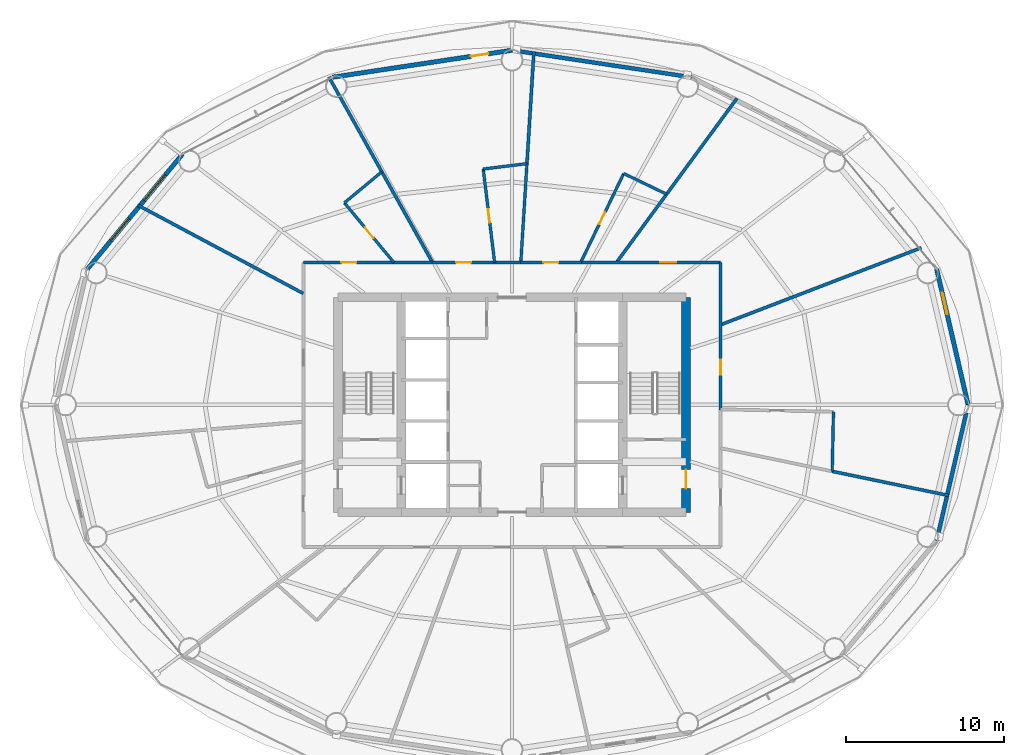
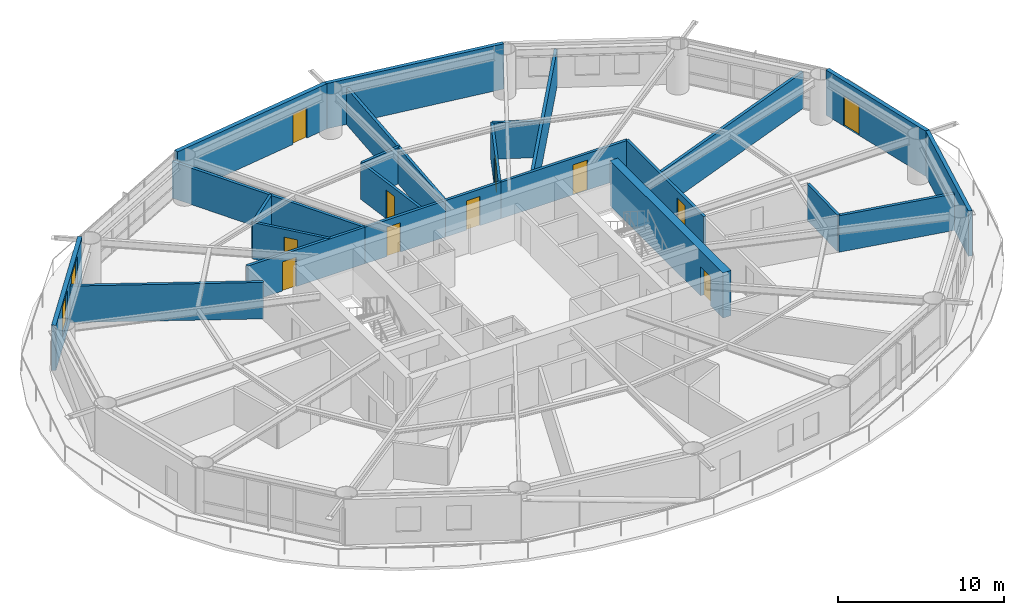
# One storey, part 20 of 24: 25 walls, 11 doors, 2 windows, 13 openings.
"""IFC4 building model written with IfcOpenShell, lengths in metres."""

from ifc_helpers import new_model, si_unit, direction, frame, frame_2d, origin, place, context, subcontext, project, spatial, rectangle, extrude, material, layer, layer_set, type_object, element, fill, save


model = new_model("IFC4")

# Units and contexts
model_context = context("Model", 3, precision=1e-05, world=origin(), true_north=direction((0.0, 1.0)))
body_context = subcontext(model_context, "Body", "Model", "MODEL_VIEW")
ifc_project = project(units=[si_unit("LENGTHUNIT", "METRE"), si_unit("AREAUNIT", "SQUARE_METRE"), si_unit("VOLUMEUNIT", "CUBIC_METRE"), si_unit("PLANEANGLEUNIT", "RADIAN"), si_unit("MASSUNIT", "GRAM", prefix="KILO")], contexts=[model_context])

# Site, building, storey
site_placement = place(None, origin())
site = spatial("IfcSite", under=ifc_project, at=site_placement, CompositionType="ELEMENT")
building_placement = place(site_placement, origin())
building = spatial("IfcBuilding", under=site, at=building_placement, Name="Sarneth Arch Tower", CompositionType="ELEMENT")
storey_placement = place(building_placement, frame((0.0, 0.0, 130.800048828125)))
storey = spatial("IfcBuildingStorey", under=building, at=storey_placement, Name="L33", CompositionType="ELEMENT", Elevation=130.800048828125)

# Wall, opening, door
ifc_material_1 = material(Name="Concrete C60/75", Category="concrete")
ifc_layer_1 = layer(ifc_material_1, 0.550048828125)
ifc_layer_set_1 = layer_set([ifc_layer_1], Name="Concrete C60/75")
wall_type_1 = type_object("IfcWallType", Name="WALL-CORE-550", PredefinedType="SHEAR", material=ifc_layer_set_1)
wall_1_placement = place(storey_placement, frame((59.0, 35.199951171875, 0.0), z_axis=(0.0, 0.0, 1.0), x_axis=(0.0, 1.0, 0.0)))
wall_1 = element("IfcWall", 1, at=wall_1_placement, inside=storey, type_object=wall_type_1, Name="L33 Core shear wall E", PredefinedType="SHEAR", context=body_context, shape_type="SweptSolid", body=[
    extrude(rectangle(XDim=13.60009765625, YDim=0.550048828125, at=frame_2d((6.800048828125, 0.0))), origin(), (0.0, 0.0, 1.0), 3.320068359375),
])
opening_1_placement = place(wall_1_placement, frame((1.5, 0.0, 0.0)))
opening_1 = element("IfcOpeningElement", 2, at=opening_1_placement, cuts=wall_1, Name="Opening FD-02", PredefinedType="OPENING", context=body_context, shape_type="SweptSolid", body=[
    extrude(rectangle(XDim=1.199951171875, YDim=2.14990234375, at=frame_2d((0.60009765625, 1.074951171875))), frame((0.0, 0.284912109375, 0.0), z_axis=(0.0, -1.0, 0.0), x_axis=(1.0, 0.0, 0.0)), (0.0, 0.0, 1.0), 0.570068359375),
])
ifc_material_2 = material(Name="Galvanised Steel S275 fire door set", Category="steel")
door_type_1 = type_object("IfcDoorType", Name="DR-FD90-1200", OperationType="SINGLE_SWING_LEFT", PredefinedType="DOOR", material=ifc_material_2)
door_1_placement = place(opening_1_placement, origin())
door_1 = element("IfcDoor", 3, at=door_1_placement, inside=storey, type_object=door_type_1, Name="L33 Firefighting lobby 2 exit door", OperationType="SINGLE_SWING_RIGHT", OverallHeight=2.14990234375, OverallWidth=1.199951171875, PredefinedType="DOOR", context=body_context, shape_type="SweptSolid", body=[
    extrude(rectangle(XDim=1.199951171875, YDim=2.14990234375, at=frame_2d((0.60009765625, 1.074951171875))), frame((0.0, 0.02490234375, 0.0), z_axis=(0.0, -1.0, 0.0), x_axis=(1.0, 0.0, 0.0)), (0.0, 0.0, 1.0), 0.050048828125),
])
fill(opening_1, door_1)

ifc_material_3 = material(Name="Double steel-stud corridor fire wall", Category="steel")
ifc_layer_2 = layer(ifc_material_3, 0.18994140625)
ifc_layer_set_2 = layer_set([ifc_layer_2], Name="Double steel-stud corridor fire wall")
wall_type_2 = type_object("IfcWallType", Name="WALL-CORR-190", PredefinedType="PARTITIONING", material=ifc_layer_set_2)
wall_2_placement = place(storey_placement, frame((52.31005859375, 51.0, 0.0), z_axis=(0.0, 0.0, 1.0), x_axis=(1.0, 0.0, 0.0)))
wall_2 = element("IfcWall", 4, at=wall_2_placement, inside=storey, type_object=wall_type_2, Name="L33 Interior partition W-L33-TP-001", PredefinedType="PARTITIONING", context=body_context, shape_type="SweptSolid", body=[
    extrude(rectangle(XDim=8.889892578125, YDim=0.18994140625, at=frame_2d((4.44482421875, 0.0))), origin(), (0.0, 0.0, 1.0), 2.679931640625),
])
opening_2_placement = place(wall_2_placement, frame((5.072509765625, 0.0, 0.0)))
opening_2 = element("IfcOpeningElement", 5, at=opening_2_placement, cuts=wall_2, Name="Opening FD-08", PredefinedType="OPENING", context=body_context, shape_type="SweptSolid", body=[
    extrude(rectangle(XDim=1.0, YDim=2.199951171875, at=frame_2d((0.5, 1.10009765625))), frame((0.0, 0.10498046875, 0.0), z_axis=(0.0, -1.0, 0.0), x_axis=(1.0, 0.0, 0.0)), (0.0, 0.0, 1.0), 0.2099609375),
])
ifc_material_4 = material(Name="Hardwood timber acoustic fire door", Category="wood")
door_type_2 = type_object("IfcDoorType", Name="DR-FD60-1000", OperationType="SINGLE_SWING_LEFT", PredefinedType="DOOR", material=ifc_material_4)
door_2_placement = place(opening_2_placement, origin())
door_2 = element("IfcDoor", 6, at=door_2_placement, inside=storey, type_object=door_type_2, Name="L33 Interior door DR-L33-AMN-01", OperationType="SINGLE_SWING_LEFT", OverallHeight=2.199951171875, OverallWidth=1.0, PredefinedType="DOOR", context=body_context, shape_type="SweptSolid", body=[
    extrude(rectangle(XDim=1.0, YDim=2.199951171875, at=frame_2d((0.5, 1.10009765625))), frame((0.0, 0.02490234375, 0.0), z_axis=(0.0, -1.0, 0.0), x_axis=(1.0, 0.0, 0.0)), (0.0, 0.0, 1.0), 0.050048828125),
])
fill(opening_2, door_2)

wall_3_placement = place(storey_placement, frame((34.800048828125, 51.0, 0.0), z_axis=(0.0, 0.0, 1.0), x_axis=(1.0, 0.0, 0.0)))
wall_3 = element("IfcWall", 7, at=wall_3_placement, inside=storey, type_object=wall_type_2, Name="L33 Interior partition W-L33-TP-008", PredefinedType="PARTITIONING", context=body_context, shape_type="SweptSolid", body=[
    extrude(rectangle(XDim=8.21044921875, YDim=0.18994140625, at=frame_2d((4.105224609375, 0.0))), origin(), (0.0, 0.0, 1.0), 2.679931640625),
])
opening_3_placement = place(wall_3_placement, frame((2.412353515625, 0.0, 0.0)))
opening_3 = element("IfcOpeningElement", 8, at=opening_3_placement, cuts=wall_3, Name="Opening FD-09", PredefinedType="OPENING", context=body_context, shape_type="SweptSolid", body=[
    extrude(rectangle(XDim=0.949951171875, YDim=2.14990234375, at=frame_2d((0.47509765625, 1.074951171875))), frame((0.0, 0.10498046875, 0.0), z_axis=(0.0, -1.0, 0.0), x_axis=(1.0, 0.0, 0.0)), (0.0, 0.0, 1.0), 0.2099609375),
])
ifc_material_5 = material(Name="Hardwood timber hotel entrance fire door", Category="wood")
door_type_3 = type_object("IfcDoorType", Name="DR-FD60-950", OperationType="SINGLE_SWING_RIGHT", PredefinedType="DOOR", material=ifc_material_5)
door_3_placement = place(opening_3_placement, origin())
door_3 = element("IfcDoor", 9, at=door_3_placement, inside=storey, type_object=door_type_3, Name="L33 Interior door DR-L33-KEY-04", OperationType="SINGLE_SWING_LEFT", OverallHeight=2.14990234375, OverallWidth=0.949951171875, PredefinedType="DOOR", context=body_context, shape_type="SweptSolid", body=[
    extrude(rectangle(XDim=0.949951171875, YDim=2.14990234375, at=frame_2d((0.47509765625, 1.074951171875))), frame((0.0, 0.02490234375, 0.0), z_axis=(0.0, -1.0, 0.0), x_axis=(1.0, 0.0, 0.0)), (0.0, 0.0, 1.0), 0.050048828125),
])
fill(opening_3, door_3)

wall_4_placement = place(storey_placement, frame((61.199951171875, 51.0, 0.0), z_axis=(0.0, 0.0, 1.0), x_axis=(0.0, -1.0, 0.0)))
wall_4 = element("IfcWall", 10, at=wall_4_placement, inside=storey, type_object=wall_type_2, Name="L33 Interior partition W-L33-TP-021", PredefinedType="PARTITIONING", context=body_context, shape_type="SweptSolid", body=[
    extrude(rectangle(XDim=9.314697265625, YDim=0.18994140625, at=frame_2d((4.6572265625, 0.0))), origin(), (0.0, 0.0, 1.0), 2.679931640625),
])
opening_4_placement = place(wall_4_placement, frame((6.131591796875, 0.0, 0.0)))
opening_4 = element("IfcOpeningElement", 11, at=opening_4_placement, cuts=wall_4, Name="Opening FD-09", PredefinedType="OPENING", context=body_context, shape_type="SweptSolid", body=[
    extrude(rectangle(XDim=0.949951171875, YDim=2.14990234375, at=frame_2d((0.47509765625, 1.074951171875))), frame((0.0, 0.10498046875, 0.0), z_axis=(0.0, -1.0, 0.0), x_axis=(1.0, 0.0, 0.0)), (0.0, 0.0, 1.0), 0.2099609375),
])
door_4_placement = place(opening_4_placement, origin())
door_4 = element("IfcDoor", 12, at=door_4_placement, inside=storey, type_object=door_type_3, Name="L33 Interior door DR-L33-KEY-11", OperationType="SINGLE_SWING_LEFT", OverallHeight=2.14990234375, OverallWidth=0.949951171875, PredefinedType="DOOR", context=body_context, shape_type="SweptSolid", body=[
    extrude(rectangle(XDim=0.949951171875, YDim=2.14990234375, at=frame_2d((0.47509765625, 1.074951171875))), frame((0.0, 0.02490234375, 0.0), z_axis=(0.0, -1.0, 0.0), x_axis=(1.0, 0.0, 0.0)), (0.0, 0.0, 1.0), 0.050048828125),
])
fill(opening_4, door_4)

wall_5_placement = place(storey_placement, frame((42.93701171875, 51.0, 0.0), z_axis=(0.0, 0.0, 1.0), x_axis=(1.0, 0.0, 0.0)))
wall_5 = element("IfcWall", 13, at=wall_5_placement, inside=storey, type_object=wall_type_2, Name="L33 Interior partition W-L33-TP-005", PredefinedType="PARTITIONING", context=body_context, shape_type="SweptSolid", body=[
    extrude(rectangle(XDim=5.652587890625, YDim=0.18994140625, at=frame_2d((2.826171875, 0.0))), origin(), (0.0, 0.0, 1.0), 2.679931640625),
])
opening_5_placement = place(wall_5_placement, frame((1.523681640625, 0.0, 0.0)))
opening_5 = element("IfcOpeningElement", 14, at=opening_5_placement, cuts=wall_5, Name="Opening FD-09", PredefinedType="OPENING", context=body_context, shape_type="SweptSolid", body=[
    extrude(rectangle(XDim=0.949951171875, YDim=2.14990234375, at=frame_2d((0.47509765625, 1.074951171875))), frame((0.0, 0.10498046875, 0.0), z_axis=(0.0, -1.0, 0.0), x_axis=(1.0, 0.0, 0.0)), (0.0, 0.0, 1.0), 0.2099609375),
])
door_5_placement = place(opening_5_placement, origin())
door_5 = element("IfcDoor", 15, at=door_5_placement, inside=storey, type_object=door_type_3, Name="L33 Interior door DR-L33-KEY-03", OperationType="SINGLE_SWING_LEFT", OverallHeight=2.14990234375, OverallWidth=0.949951171875, PredefinedType="DOOR", context=body_context, shape_type="SweptSolid", body=[
    extrude(rectangle(XDim=0.949951171875, YDim=2.14990234375, at=frame_2d((0.47509765625, 1.074951171875))), frame((0.0, 0.02490234375, 0.0), z_axis=(0.0, -1.0, 0.0), x_axis=(1.0, 0.0, 0.0)), (0.0, 0.0, 1.0), 0.050048828125),
])
fill(opening_5, door_5)

wall_6_placement = place(storey_placement, frame((48.525390625, 51.0, 0.0), z_axis=(0.0, 0.0, 1.0), x_axis=(1.0, 0.0, 0.0)))
wall_6 = element("IfcWall", 16, at=wall_6_placement, inside=storey, type_object=wall_type_2, Name="L33 Interior partition W-L33-TP-003", PredefinedType="PARTITIONING", context=body_context, shape_type="SweptSolid", body=[
    extrude(rectangle(XDim=3.855712890625, YDim=0.18994140625, at=frame_2d((1.927734375, 0.0))), origin(), (0.0, 0.0, 1.0), 2.679931640625),
])
opening_6_placement = place(wall_6_placement, frame((1.45263671875, 0.0, 0.0)))
opening_6 = element("IfcOpeningElement", 17, at=opening_6_placement, cuts=wall_6, Name="Opening FD-09", PredefinedType="OPENING", context=body_context, shape_type="SweptSolid", body=[
    extrude(rectangle(XDim=0.949951171875, YDim=2.14990234375, at=frame_2d((0.47509765625, 1.074951171875))), frame((0.0, 0.10498046875, 0.0), z_axis=(0.0, -1.0, 0.0), x_axis=(1.0, 0.0, 0.0)), (0.0, 0.0, 1.0), 0.2099609375),
])
door_6_placement = place(opening_6_placement, origin())
door_6 = element("IfcDoor", 18, at=door_6_placement, inside=storey, type_object=door_type_3, Name="L33 Interior door DR-L33-KEY-02", OperationType="SINGLE_SWING_LEFT", OverallHeight=2.14990234375, OverallWidth=0.949951171875, PredefinedType="DOOR", context=body_context, shape_type="SweptSolid", body=[
    extrude(rectangle(XDim=0.949951171875, YDim=2.14990234375, at=frame_2d((0.47509765625, 1.074951171875))), frame((0.0, 0.02490234375, 0.0), z_axis=(0.0, -1.0, 0.0), x_axis=(1.0, 0.0, 0.0)), (0.0, 0.0, 1.0), 0.050048828125),
])
fill(opening_6, door_6)

# Walls
ifc_material_6 = material(Name="Extruded terracotta rainscreen on Concrete C40/50 backing", Category="masonry")
ifc_layer_3 = layer(ifc_material_6, 0.25)
ifc_layer_set_3 = layer_set([ifc_layer_3], Name="Extruded terracotta rainscreen on Concrete C40/50 backing")
wall_type_3 = type_object("IfcWallType", Name="WALL-EXT-SPAND-250", PredefinedType="SOLIDWALL", material=ifc_layer_set_3)
wall_7_placement = place(storey_placement, frame((59.351318359375, 62.72265625, 0.0), z_axis=(0.0, 0.0, 1.0), x_axis=(-0.988877774656, 0.148730450117, 0.0)))
element("IfcWall", 19, at=wall_7_placement, inside=storey, type_object=wall_type_3, Name="L33 Terracotta perimeter wall 04", PredefinedType="SOLIDWALL", context=body_context, shape_type="SweptSolid", body=[
    extrude(rectangle(XDim=11.47900390625, YDim=0.25, at=frame_2d((5.739501953125, 0.0))), origin(), (0.0, 0.0, 1.0), 3.320068359375),
])
wall_8_placement = place(storey_placement, frame((74.861328125, 33.41650390625, 0.0), z_axis=(0.0, 0.0, 1.0), x_axis=(0.22558597182, 0.974223264616, 0.0)))
element("IfcWall", 20, at=wall_8_placement, inside=storey, type_object=wall_type_3, Name="L33 Terracotta perimeter wall 16", PredefinedType="SOLIDWALL", context=body_context, shape_type="SweptSolid", body=[
    extrude(rectangle(XDim=8.810546875, YDim=0.25, at=frame_2d((4.4052734375, 0.0))), origin(), (0.0, 0.0, 1.0), 3.320068359375),
])

# Wall, opening, door
ifc_material_7 = material(Name="Extruded terracotta rainscreen on Concrete C40/50 backing", Category="masonry")
ifc_layer_4 = layer(ifc_material_7, 0.280029296875)
ifc_layer_set_4 = layer_set([ifc_layer_4], Name="Extruded terracotta rainscreen on Concrete C40/50 backing")
wall_type_4 = type_object("IfcWallType", Name="WALL-EXT-TERRA-280", PredefinedType="SOLIDWALL", material=ifc_layer_set_4)
wall_9_placement = place(storey_placement, frame((76.848876953125, 42.0, 0.0), z_axis=(0.0, 0.0, 1.0), x_axis=(-0.22558597182, 0.974223264616, 0.0)))
wall_9 = element("IfcWall", 21, at=wall_9_placement, inside=storey, type_object=wall_type_4, Name="L33 Terracotta perimeter wall 01", PredefinedType="SOLIDWALL", context=body_context, shape_type="SweptSolid", body=[
    extrude(rectangle(XDim=8.810546875, YDim=0.280029296875, at=frame_2d((4.4052734375, 0.0))), origin(), (0.0, 0.0, 1.0), 3.320068359375),
])
opening_7_placement = place(wall_9_placement, frame((5.87451171875, 0.0, 0.0)))
opening_7 = element("IfcOpeningElement", 22, at=opening_7_placement, cuts=wall_9, Name="Opening BD-2", PredefinedType="OPENING", context=body_context, shape_type="SweptSolid", body=[
    extrude(rectangle(XDim=1.39990234375, YDim=2.199951171875, at=frame_2d((0.699951171875, 1.10009765625))), frame((0.0, 0.14990234375, 0.0), z_axis=(0.0, -1.0, 0.0), x_axis=(1.0, 0.0, 0.0)), (0.0, 0.0, 1.0), 0.300048828125),
])
ifc_material_8 = material(Name="Thermally broken Aluminium 6063-T6 and laminated safety glass", Category="aluminium")
door_type_4 = type_object("IfcDoorType", Name="DR-BALC-GLZ-1400", OperationType="SINGLE_SWING_LEFT", PredefinedType="DOOR", material=ifc_material_8)
door_7_placement = place(opening_7_placement, origin())
door_7 = element("IfcDoor", 23, at=door_7_placement, inside=storey, type_object=door_type_4, Name="L33 Balcony glazed door 01", OperationType="SINGLE_SWING_LEFT", OverallHeight=2.199951171875, OverallWidth=1.39990234375, PredefinedType="DOOR", context=body_context, shape_type="SweptSolid", body=[
    extrude(rectangle(XDim=1.39990234375, YDim=2.199951171875, at=frame_2d((0.699951171875, 1.10009765625))), frame((0.0, 0.02490234375, 0.0), z_axis=(0.0, -1.0, 0.0), x_axis=(1.0, 0.0, 0.0)), (0.0, 0.0, 1.0), 0.050048828125),
])
fill(opening_7, door_7)

wall_10_placement = place(storey_placement, frame((48.0, 64.429931640625, 0.0), z_axis=(0.0, 0.0, 1.0), x_axis=(-0.988877774656, -0.148730450117, 0.0)))
wall_10 = element("IfcWall", 24, at=wall_10_placement, inside=storey, type_object=wall_type_4, Name="L33 Terracotta perimeter wall 05", PredefinedType="SOLIDWALL", context=body_context, shape_type="SweptSolid", body=[
    extrude(rectangle(XDim=11.47900390625, YDim=0.280029296875, at=frame_2d((5.739501953125, 0.0))), origin(), (0.0, 0.0, 1.0), 3.320068359375),
])
opening_8_placement = place(wall_10_placement, frame((1.523681640625, 0.0, 0.0)))
opening_8 = element("IfcOpeningElement", 25, at=opening_8_placement, cuts=wall_10, Name="Opening BD-3", PredefinedType="OPENING", context=body_context, shape_type="SweptSolid", body=[
    extrude(rectangle(XDim=1.10009765625, YDim=2.25, at=frame_2d((0.550048828125, 1.125))), frame((0.0, 0.14990234375, 0.0), z_axis=(0.0, -1.0, 0.0), x_axis=(1.0, 0.0, 0.0)), (0.0, 0.0, 1.0), 0.300048828125),
])
ifc_material_9 = material(Name="Thermally broken Aluminium 6063-T6 and laminated safety glass", Category="aluminium")
door_type_5 = type_object("IfcDoorType", Name="DR-BALC-GLZ-1100", OperationType="SINGLE_SWING_LEFT", PredefinedType="DOOR", material=ifc_material_9)
door_8_placement = place(opening_8_placement, origin())
door_8 = element("IfcDoor", 26, at=door_8_placement, inside=storey, type_object=door_type_5, Name="L33 Balcony glazed door 05", OperationType="SINGLE_SWING_LEFT", OverallHeight=2.25, OverallWidth=1.10009765625, PredefinedType="DOOR", context=body_context, shape_type="SweptSolid", body=[
    extrude(rectangle(XDim=1.10009765625, YDim=2.25, at=frame_2d((0.550048828125, 1.125))), frame((0.0, 0.02490234375, 0.0), z_axis=(0.0, -1.0, 0.0), x_axis=(1.0, 0.0, 0.0)), (0.0, 0.0, 1.0), 0.050048828125),
])
fill(opening_8, door_8)

# Wall, openings, windows
wall_11_placement = place(storey_placement, frame((27.159912109375, 57.8603515625, 0.0), z_axis=(0.0, 0.0, 1.0), x_axis=(-0.637505817448, -0.770445541696, 0.0)))
wall_11 = element("IfcWall", 27, at=wall_11_placement, inside=storey, type_object=wall_type_4, Name="L33 Terracotta perimeter wall 07", PredefinedType="SOLIDWALL", context=body_context, shape_type="SweptSolid", body=[
    extrude(rectangle(XDim=9.445068359375, YDim=0.280029296875, at=frame_2d((4.72265625, 0.0))), origin(), (0.0, 0.0, 1.0), 3.320068359375),
])
opening_9_placement = place(wall_11_placement, frame((1.7001953125, 0.0, 0.85009765625)))
opening_9 = element("IfcOpeningElement", 28, at=opening_9_placement, cuts=wall_11, Name="Opening W-03", PredefinedType="OPENING", context=body_context, shape_type="SweptSolid", body=[
    extrude(rectangle(XDim=2.10009765625, YDim=2.199951171875, at=frame_2d((1.050048828125, 1.10009765625))), frame((0.0, 0.14990234375, 0.0), z_axis=(0.0, -1.0, 0.0), x_axis=(1.0, 0.0, 0.0)), (0.0, 0.0, 1.0), 0.300048828125),
])
opening_10_placement = place(wall_11_placement, frame((5.302978515625, 0.0, 0.85009765625)))
opening_10 = element("IfcOpeningElement", 29, at=opening_10_placement, cuts=wall_11, Name="Opening W-04", PredefinedType="OPENING", context=body_context, shape_type="SweptSolid", body=[
    extrude(rectangle(XDim=1.800048828125, YDim=2.199951171875, at=frame_2d((0.89990234375, 1.10009765625))), frame((0.0, 0.14990234375, 0.0), z_axis=(0.0, -1.0, 0.0), x_axis=(1.0, 0.0, 0.0)), (0.0, 0.0, 1.0), 0.300048828125),
])
ifc_material_10 = material(Name="Thermally broken Aluminium 6063-T6 and low-e laminated IGU", Category="aluminium")
window_type_1 = type_object("IfcWindowType", Name="WIN-TWR-1800x2200", PartitioningType="DOUBLE_PANEL_VERTICAL", PredefinedType="WINDOW", material=ifc_material_10)
window_1_placement = place(opening_10_placement, origin())
window_1 = element("IfcWindow", 30, at=window_1_placement, inside=storey, type_object=window_type_1, Name="L33 Exterior window 07B", OverallHeight=2.199951171875, OverallWidth=1.800048828125, PartitioningType="SINGLE_PANEL", PredefinedType="WINDOW", context=body_context, shape_type="SweptSolid", body=[
    extrude(rectangle(XDim=1.800048828125, YDim=2.199951171875, at=frame_2d((0.89990234375, 1.10009765625))), frame((0.0, 0.030029296875, 0.0), z_axis=(0.0, -1.0, 0.0), x_axis=(1.0, 0.0, 0.0)), (0.0, 0.0, 1.0), 0.06005859375),
])
fill(opening_10, window_1)
ifc_material_11 = material(Name="Thermally broken Aluminium 6063-T6 and low-e laminated IGU", Category="aluminium")
window_type_2 = type_object("IfcWindowType", Name="WIN-TWR-2100x2200", PartitioningType="DOUBLE_PANEL_VERTICAL", PredefinedType="WINDOW", material=ifc_material_11)
window_2_placement = place(opening_9_placement, origin())
window_2 = element("IfcWindow", 31, at=window_2_placement, inside=storey, type_object=window_type_2, Name="L33 Exterior window 07A", OverallHeight=2.199951171875, OverallWidth=2.10009765625, PartitioningType="SINGLE_PANEL", PredefinedType="WINDOW", context=body_context, shape_type="SweptSolid", body=[
    extrude(rectangle(XDim=2.10009765625, YDim=2.199951171875, at=frame_2d((1.050048828125, 1.10009765625))), frame((0.0, 0.030029296875, 0.0), z_axis=(0.0, -1.0, 0.0), x_axis=(1.0, 0.0, 0.0)), (0.0, 0.0, 1.0), 0.06005859375),
])
fill(opening_9, window_2)

# Wall
ifc_material_12 = material(Name="Moisture-resistant plumbing chase wall", Category="gypsum")
ifc_layer_5 = layer(ifc_material_12, 0.179931640625)
ifc_layer_set_5 = layer_set([ifc_layer_5], Name="Moisture-resistant plumbing chase wall")
wall_type_5 = type_object("IfcWallType", Name="WALL-PLUMB-180", PredefinedType="PLUMBINGWALL", material=ifc_layer_set_5)
wall_12_placement = place(storey_placement, frame((48.9453125, 57.25634765625, 0.0), z_axis=(0.0, 0.0, 1.0), x_axis=(-0.061849673623, -0.998085476236, 0.0)))
element("IfcWall", 32, at=wall_12_placement, inside=storey, type_object=wall_type_5, Name="L33 Interior partition W-L33-TP-029", PredefinedType="PLUMBINGWALL", context=body_context, shape_type="SweptSolid", body=[
    extrude(rectangle(XDim=6.268310546875, YDim=0.179931640625, at=frame_2d((3.13427734375, 0.0))), origin(), (0.0, 0.0, 1.0), 2.679931640625),
])

# Wall, opening, door
wall_13_placement = place(storey_placement, frame((55.066162109375, 56.634765625, 0.0), z_axis=(0.0, 0.0, 1.0), x_axis=(-0.434810168298, -0.900522136066, 0.0)))
wall_13 = element("IfcWall", 33, at=wall_13_placement, inside=storey, type_object=wall_type_5, Name="L33 Interior partition W-L33-TP-027", PredefinedType="PLUMBINGWALL", context=body_context, shape_type="SweptSolid", body=[
    extrude(rectangle(XDim=6.25732421875, YDim=0.179931640625, at=frame_2d((3.128662109375, 0.0))), origin(), (0.0, 0.0, 1.0), 2.679931640625),
])
opening_11_placement = place(wall_13_placement, frame((2.70361328125, 0.0, 0.0)))
opening_11 = element("IfcOpeningElement", 34, at=opening_11_placement, cuts=wall_13, Name="Opening ID-02", PredefinedType="OPENING", context=body_context, shape_type="SweptSolid", body=[
    extrude(rectangle(XDim=0.85009765625, YDim=2.10009765625, at=frame_2d((0.425048828125, 1.050048828125))), frame((0.0, 0.099853515625, 0.0), z_axis=(0.0, -1.0, 0.0), x_axis=(1.0, 0.0, 0.0)), (0.0, 0.0, 1.0), 0.199951171875),
])
ifc_material_13 = material(Name="Moisture-resistant bathroom timber door", Category="wood")
door_type_6 = type_object("IfcDoorType", Name="DR-INT-850", OperationType="SINGLE_SWING_RIGHT", PredefinedType="DOOR", material=ifc_material_13)
door_9_placement = place(opening_11_placement, origin())
door_9 = element("IfcDoor", 35, at=door_9_placement, inside=storey, type_object=door_type_6, Name="L33 Interior door DR-L33-ENS-02", OperationType="SINGLE_SWING_RIGHT", OverallHeight=2.10009765625, OverallWidth=0.85009765625, PredefinedType="DOOR", context=body_context, shape_type="SweptSolid", body=[
    extrude(rectangle(XDim=0.85009765625, YDim=2.10009765625, at=frame_2d((0.425048828125, 1.050048828125))), frame((0.0, 0.02490234375, 0.0), z_axis=(0.0, -1.0, 0.0), x_axis=(1.0, 0.0, 0.0)), (0.0, 0.0, 1.0), 0.050048828125),
])
fill(opening_11, door_9)

wall_14_placement = place(storey_placement, frame((46.902099609375, 51.0, 0.0), z_axis=(0.0, 0.0, 1.0), x_axis=(-0.121066182793, 0.992644437542, 0.0)))
wall_14 = element("IfcWall", 36, at=wall_14_placement, inside=storey, type_object=wall_type_5, Name="L33 Interior partition W-L33-TP-030", PredefinedType="PLUMBINGWALL", context=body_context, shape_type="SweptSolid", body=[
    extrude(rectangle(XDim=5.963134765625, YDim=0.179931640625, at=frame_2d((2.9814453125, 0.0))), origin(), (0.0, 0.0, 1.0), 2.679931640625),
])
opening_12_placement = place(wall_14_placement, frame((2.556396484375, 0.0, 0.0)))
opening_12 = element("IfcOpeningElement", 37, at=opening_12_placement, cuts=wall_14, Name="Opening ID-02", PredefinedType="OPENING", context=body_context, shape_type="SweptSolid", body=[
    extrude(rectangle(XDim=0.85009765625, YDim=2.10009765625, at=frame_2d((0.425048828125, 1.050048828125))), frame((0.0, 0.099853515625, 0.0), z_axis=(0.0, -1.0, 0.0), x_axis=(1.0, 0.0, 0.0)), (0.0, 0.0, 1.0), 0.199951171875),
])
door_10_placement = place(opening_12_placement, origin())
door_10 = element("IfcDoor", 38, at=door_10_placement, inside=storey, type_object=door_type_6, Name="L33 Interior door DR-L33-ENS-03", OperationType="SINGLE_SWING_RIGHT", OverallHeight=2.10009765625, OverallWidth=0.85009765625, PredefinedType="DOOR", context=body_context, shape_type="SweptSolid", body=[
    extrude(rectangle(XDim=0.85009765625, YDim=2.10009765625, at=frame_2d((0.425048828125, 1.050048828125))), frame((0.0, 0.02490234375, 0.0), z_axis=(0.0, -1.0, 0.0), x_axis=(1.0, 0.0, 0.0)), (0.0, 0.0, 1.0), 0.050048828125),
])
fill(opening_12, door_10)

wall_15_placement = place(storey_placement, frame((37.39794921875, 54.7783203125, 0.0), z_axis=(0.0, 0.0, 1.0), x_axis=(0.638549285416, -0.769580931478, 0.0)))
wall_15 = element("IfcWall", 39, at=wall_15_placement, inside=storey, type_object=wall_type_5, Name="L33 Interior partition W-L33-TP-035", PredefinedType="PLUMBINGWALL", context=body_context, shape_type="SweptSolid", body=[
    extrude(rectangle(XDim=4.90966796875, YDim=0.179931640625, at=frame_2d((2.454833984375, 0.0))), origin(), (0.0, 0.0, 1.0), 2.679931640625),
])
opening_13_placement = place(wall_15_placement, frame((2.02978515625, 0.0, 0.0)))
opening_13 = element("IfcOpeningElement", 40, at=opening_13_placement, cuts=wall_15, Name="Opening ID-02", PredefinedType="OPENING", context=body_context, shape_type="SweptSolid", body=[
    extrude(rectangle(XDim=0.85009765625, YDim=2.10009765625, at=frame_2d((0.425048828125, 1.050048828125))), frame((0.0, 0.099853515625, 0.0), z_axis=(0.0, -1.0, 0.0), x_axis=(1.0, 0.0, 0.0)), (0.0, 0.0, 1.0), 0.199951171875),
])
door_11_placement = place(opening_13_placement, origin())
door_11 = element("IfcDoor", 41, at=door_11_placement, inside=storey, type_object=door_type_6, Name="L33 Interior door DR-L33-ENS-04", OperationType="SINGLE_SWING_RIGHT", OverallHeight=2.10009765625, OverallWidth=0.85009765625, PredefinedType="DOOR", context=body_context, shape_type="SweptSolid", body=[
    extrude(rectangle(XDim=0.85009765625, YDim=2.10009765625, at=frame_2d((0.425048828125, 1.050048828125))), frame((0.0, 0.02490234375, 0.0), z_axis=(0.0, -1.0, 0.0), x_axis=(1.0, 0.0, 0.0)), (0.0, 0.0, 1.0), 0.050048828125),
])
fill(opening_13, door_11)

# Walls
wall_16_placement = place(storey_placement, frame((68.3330078125, 41.564453125, 0.0), z_axis=(0.0, 0.0, 1.0), x_axis=(-0.021438450782, -0.999770170003, 0.0)))
element("IfcWall", 42, at=wall_16_placement, inside=storey, type_object=wall_type_5, Name="L33 Interior partition W-L33-TP-054", PredefinedType="PLUMBINGWALL", context=body_context, shape_type="SweptSolid", body=[
    extrude(rectangle(XDim=3.76953125, YDim=0.179931640625, at=frame_2d((1.884765625, 0.0))), origin(), (0.0, 0.0, 1.0), 2.679931640625),
])
wall_17_placement = place(storey_placement, frame((39.766357421875, 56.743408203125, 0.0), z_axis=(0.0, 0.0, 1.0), x_axis=(-0.769591554132, -0.638536482755, 0.0)))
element("IfcWall", 43, at=wall_17_placement, inside=storey, type_object=wall_type_5, Name="L33 Interior partition W-L33-TP-034", PredefinedType="PLUMBINGWALL", context=body_context, shape_type="SweptSolid", body=[
    extrude(rectangle(XDim=3.077392578125, YDim=0.179931640625, at=frame_2d((1.53857421875, 0.0))), origin(), (0.0, 0.0, 1.0), 2.679931640625),
])
wall_18_placement = place(storey_placement, frame((57.778564453125, 55.3251953125, 0.0), z_axis=(0.0, 0.0, 1.0), x_axis=(-0.900534126875, 0.434785333623, 0.0)))
element("IfcWall", 44, at=wall_18_placement, inside=storey, type_object=wall_type_5, Name="L33 Interior partition W-L33-TP-026", PredefinedType="PLUMBINGWALL", context=body_context, shape_type="SweptSolid", body=[
    extrude(rectangle(XDim=3.011962890625, YDim=0.179931640625, at=frame_2d((1.505859375, 0.0))), origin(), (0.0, 0.0, 1.0), 2.679931640625),
])
wall_19_placement = place(storey_placement, frame((46.18017578125, 56.919189453125, 0.0), z_axis=(0.0, 0.0, 1.0), x_axis=(0.99264818918, 0.121035418441, 0.0)))
element("IfcWall", 45, at=wall_19_placement, inside=storey, type_object=wall_type_5, Name="L33 Interior partition W-L33-TP-031", PredefinedType="PLUMBINGWALL", context=body_context, shape_type="SweptSolid", body=[
    extrude(rectangle(XDim=2.78564453125, YDim=0.179931640625, at=frame_2d((1.392822265625, 0.0))), origin(), (0.0, 0.0, 1.0), 2.679931640625),
])
ifc_material_14 = material(Name="Double steel-stud acoustic drywall", Category="steel")
ifc_layer_6 = layer(ifc_material_14, 0.199951171875)
ifc_layer_set_6 = layer_set([ifc_layer_6], Name="Double steel-stud acoustic drywall")
wall_type_6 = type_object("IfcWallType", Name="WALL-UNIT-200", PredefinedType="PARTITIONING", material=ifc_layer_set_6)
wall_20_placement = place(storey_placement, frame((73.888427734375, 51.937744140625, 0.0), z_axis=(0.0, 0.0, 1.0), x_axis=(-0.933575508152, -0.358380762009, 0.0)))
element("IfcWall", 46, at=wall_20_placement, inside=storey, type_object=wall_type_6, Name="L33 Interior partition W-L33-TP-025", PredefinedType="PARTITIONING", context=body_context, shape_type="SweptSolid", body=[
    extrude(rectangle(XDim=13.59130859375, YDim=0.199951171875, at=frame_2d((6.795654296875, 0.0))), origin(), (0.0, 0.0, 1.0), 2.679931640625),
])
wall_21_placement = place(storey_placement, frame((24.335205078125, 54.631103515625, 0.0), z_axis=(0.0, 0.0, 1.0), x_axis=(0.882197358086, -0.470879837524, 0.0)))
element("IfcWall", 47, at=wall_21_placement, inside=storey, type_object=wall_type_6, Name="L33 Interior partition W-L33-TP-036", PredefinedType="PARTITIONING", context=body_context, shape_type="SweptSolid", body=[
    extrude(rectangle(XDim=11.8623046875, YDim=0.199951171875, at=frame_2d((5.93115234375, 0.0))), origin(), (0.0, 0.0, 1.0), 2.679931640625),
])
wall_22_placement = place(storey_placement, frame((75.643310546875, 36.26171875, 0.0), z_axis=(0.0, 0.0, 1.0), x_axis=(-0.979129223201, 0.203238687937, 0.0)))
element("IfcWall", 48, at=wall_22_placement, inside=storey, type_object=wall_type_6, Name="L33 Interior partition W-L33-TP-051", PredefinedType="PARTITIONING", context=body_context, shape_type="SweptSolid", body=[
    extrude(rectangle(XDim=7.548583984375, YDim=0.199951171875, at=frame_2d((3.7744140625, 0.0))), origin(), (0.0, 0.0, 1.0), 2.679931640625),
])
wall_23_placement = place(storey_placement, frame((54.604736328125, 51.0, 0.0), z_axis=(0.0, 0.0, 1.0), x_axis=(0.591626609971, 0.806212102597, 0.0)))
element("IfcWall", 49, at=wall_23_placement, inside=storey, type_object=wall_type_6, Name="L33 Interior partition W-L33-TP-023", PredefinedType="PARTITIONING", context=body_context, shape_type="SweptSolid", body=[
    extrude(rectangle(XDim=12.879150390625, YDim=0.199951171875, at=frame_2d((6.439453125, 0.0))), origin(), (0.0, 0.0, 1.0), 2.679931640625),
])
wall_24_placement = place(storey_placement, frame((49.38427734375, 64.3427734375, 0.0), z_axis=(0.0, 0.0, 1.0), x_axis=(-0.061825960445, -0.998086945419, 0.0)))
element("IfcWall", 50, at=wall_24_placement, inside=storey, type_object=wall_type_6, Name="L33 Interior partition W-L33-TP-028", PredefinedType="PARTITIONING", context=body_context, shape_type="SweptSolid", body=[
    extrude(rectangle(XDim=7.10009765625, YDim=0.199951171875, at=frame_2d((3.550048828125, 0.0))), origin(), (0.0, 0.0, 1.0), 2.679931640625),
])
wall_25_placement = place(storey_placement, frame((42.973876953125, 51.0, 0.0), z_axis=(0.0, 0.0, 1.0), x_axis=(-0.487587337482, 0.873074216964, 0.0)))
element("IfcWall", 51, at=wall_25_placement, inside=storey, type_object=wall_type_6, Name="L33 Interior partition W-L33-TP-032", PredefinedType="PARTITIONING", context=body_context, shape_type="SweptSolid", body=[
    extrude(rectangle(XDim=13.445556640625, YDim=0.199951171875, at=frame_2d((6.72265625, 0.0))), origin(), (0.0, 0.0, 1.0), 2.679931640625),
])

save(model, "model.ifc")
